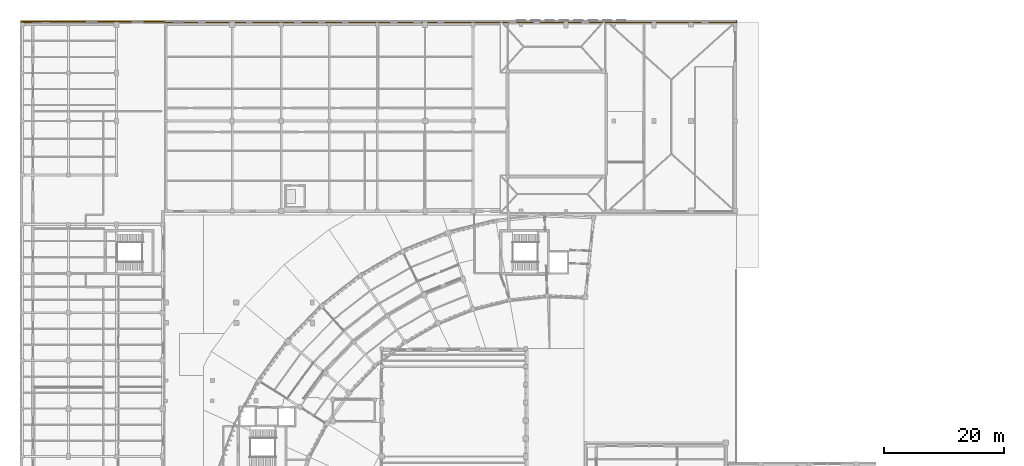
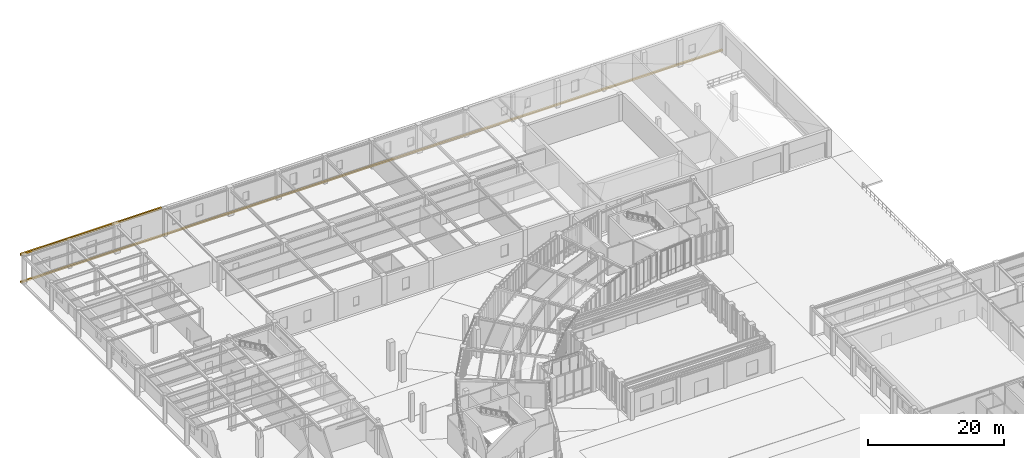
# One storey, part 64 of 68: 2 coverings.
"""IFC4 building model written with IfcOpenShell, lengths in metres."""

from ifc_helpers import new_model, si_unit, direction, frame, origin, origin_2d, place, context, subcontext, project, spatial, polyline, rectangle, outline, extrude, material, layer, layer_set, type_object, element, save


model = new_model("IFC4")

# Units and contexts
model_context = context("Model", 3, precision=1e-05, world=origin(), true_north=direction((0.0, 1.0)))
body_context = subcontext(model_context, "Body", "Model", "MODEL_VIEW")
ifc_project = project(units=[si_unit("LENGTHUNIT", "METRE"), si_unit("AREAUNIT", "SQUARE_METRE"), si_unit("VOLUMEUNIT", "CUBIC_METRE"), si_unit("PLANEANGLEUNIT", "RADIAN"), si_unit("MASSUNIT", "GRAM", prefix="KILO"), si_unit("THERMODYNAMICTEMPERATUREUNIT", "KELVIN"), si_unit("POWERUNIT", "WATT")], contexts=[model_context])

# Site, building, storey
site_placement = place(None, origin())
site = spatial("IfcSite", under=ifc_project, at=site_placement, CompositionType="ELEMENT")
building_placement = place(site_placement, origin())
building = spatial("IfcBuilding", under=site, at=building_placement, Name="Solvatero Civic Police Headquarters", CompositionType="ELEMENT")
storey_placement = place(building_placement, origin())
storey = spatial("IfcBuildingStorey", under=building, at=storey_placement, Name="L00", CompositionType="ELEMENT", Elevation=0.0)

# Coverings
ifc_material_1 = material(Name="Anodized Bronze Aluminium", Category="aluminium")
ifc_layer_1 = layer(ifc_material_1, 0.0400390625)
ifc_layer_set_1 = layer_set([ifc_layer_1], Name="Anodized Bronze Aluminium")
covering_type_1 = type_object("IfcCoveringType", Name="COV-RF-ZINC", PredefinedType="ROOFING", material=ifc_layer_set_1)
covering_1_placement = place(storey_placement, frame((0.0, 0.0, -0.300048828125)))
element("IfcCovering", 1, at=covering_1_placement, inside=storey, type_object=covering_type_1, Name="L00 Perimeter Bronze Plinth Skirt PLINTH-N", PredefinedType="CLADDING", context=body_context, shape_type="SweptSolid", body=[
    extrude(outline(polyline([(4.5, 116.89990234375), (124.0, 116.89990234375), (124.0, 117.199951171875), (4.5, 117.199951171875), (4.5, 116.89990234375)])), origin(), (0.0, 0.0, 1.0), 0.300048828125),
])
ifc_material_2 = material(Name="Cream Limestone Ashlar", Category="masonry")
ifc_layer_2 = layer(ifc_material_2, 0.10009765625)
ifc_layer_set_2 = layer_set([ifc_layer_2], Name="Cream Limestone Ashlar")
covering_type_2 = type_object("IfcCoveringType", Name="COV-TRIM-STONE", PredefinedType="CLADDING", material=ifc_layer_set_2)
covering_2_placement = place(storey_placement, frame((16.5, 117.1201171875, 4.60986328125), z_axis=(0.0, 0.0, 1.0), x_axis=(1.0, 0.0, 0.0)))
element("IfcCovering", 2, at=covering_2_placement, inside=storey, type_object=covering_type_2, Name="Classical Limestone Trim TRIM-V7NW-L00-N", PredefinedType="CLADDING", context=body_context, shape_type="SweptSolid", body=[
    extrude(rectangle(XDim=24.0, YDim=0.280029296875, at=origin_2d()), origin(), (0.0, 0.0, 1.0), 0.340087890625),
])

save(model, "model.ifc")
